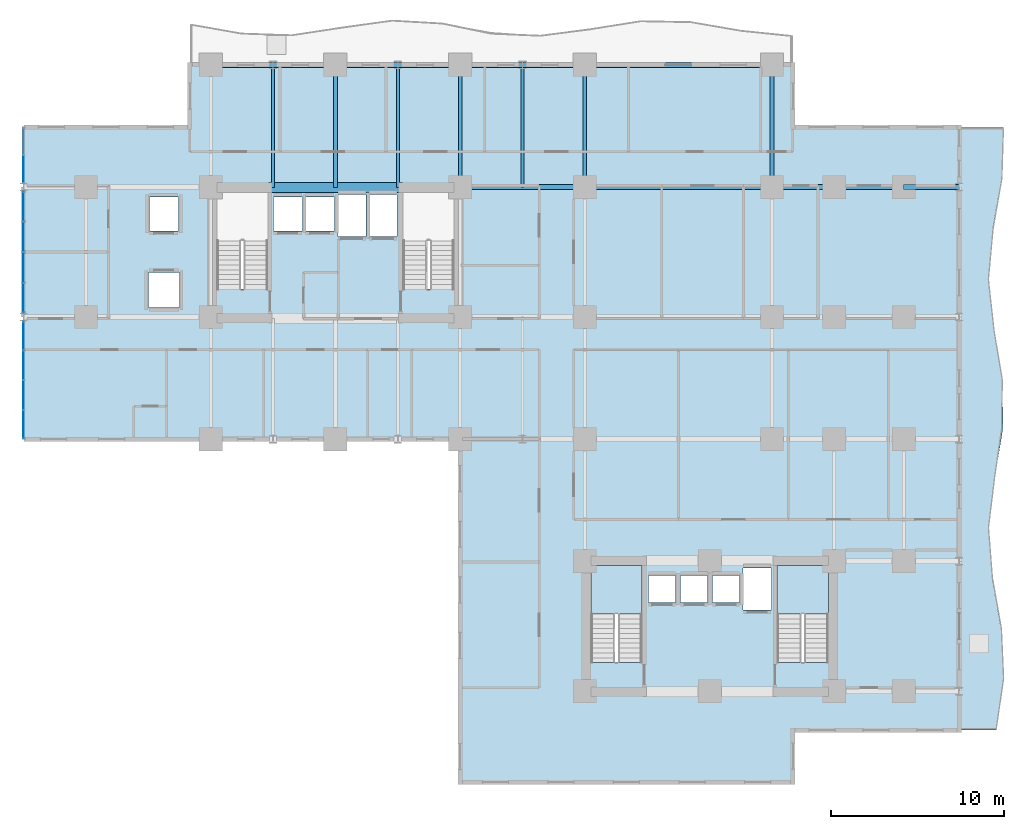
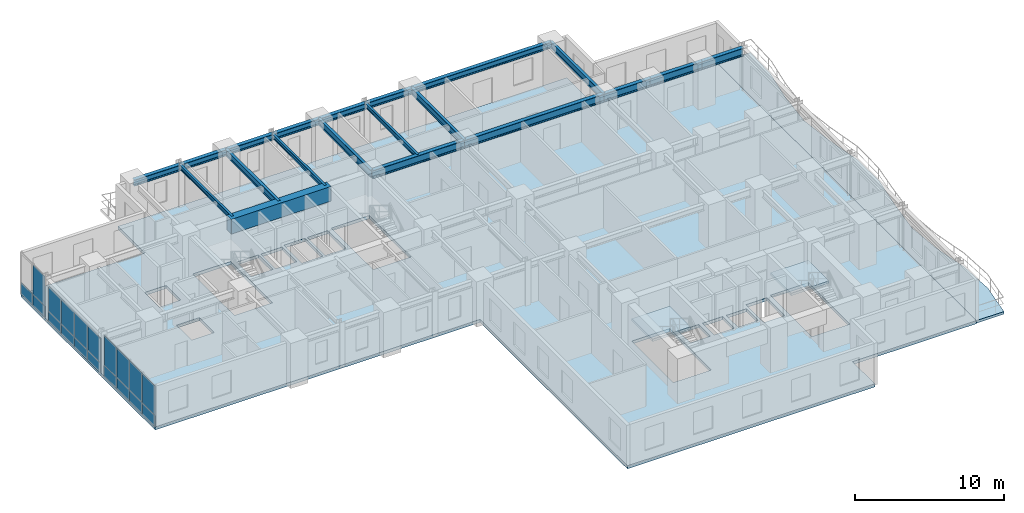
# One storey, part 7 of 17: 20 beams, 19 plates, 4 slabs, 5 elements without a shape of their own.
"""IFC4 building model written with IfcOpenShell, lengths in metres."""

from ifc_helpers import new_model, si_unit, direction, frame, origin, origin_2d, place, context, subcontext, project, spatial, polyline, rectangle, i_section, outline, extrude, source, transform, mapped, material, layer, layer_set, material_profile, profile_set, type_object, element, aggregate, save


model = new_model("IFC4")

# Units and contexts
model_context = context("Model", 3, precision=1e-05, world=origin(), true_north=direction((0.0, 1.0)))
body_context = subcontext(model_context, "Body", "Model", "MODEL_VIEW")
ifc_project = project(units=[si_unit("LENGTHUNIT", "METRE"), si_unit("AREAUNIT", "SQUARE_METRE"), si_unit("VOLUMEUNIT", "CUBIC_METRE"), si_unit("PLANEANGLEUNIT", "RADIAN"), si_unit("MASSUNIT", "GRAM", prefix="KILO")], contexts=[model_context])

# Site, building, storey
site_placement = place(None, origin())
site = spatial("IfcSite", under=ifc_project, at=site_placement, CompositionType="ELEMENT")
building_placement = place(site_placement, origin())
building = spatial("IfcBuilding", under=site, at=building_placement, Name="Kaliganga Portal Commons", CompositionType="ELEMENT")
storey_placement = place(building_placement, frame((0.0, 0.0, 62.300048828125)))
storey = spatial("IfcBuildingStorey", under=building, at=storey_placement, Name="L15", CompositionType="ELEMENT", Elevation=62.300048828125)

# Beams
ifc_material_1 = material(Name="Concrete C60/75", Category="concrete")
ifc_material_profile_1 = material_profile(ifc_material_1, rectangle(XDim=0.60009765625, YDim=1.199951171875, at=origin_2d()), Name="RC 600x1200")
ifc_profile_set_1 = profile_set([ifc_material_profile_1], Name="Concrete C60/75")
beam_type_1 = type_object("IfcBeamType", Name="BM-CPL-1200", PredefinedType="LINTEL", material=ifc_profile_set_1)
shared_shape_1 = source(origin(), body_context, "Body", "SweptSolid", [
    extrude(rectangle(XDim=0.60009765625, YDim=1.199951171875, at=origin_2d()), origin(), (0.0, 0.0, 1.0), 7.739990234375),
])
beam_1_placement = place(storey_placement, frame((17.72998046875, 36.125, 2.849853515625), z_axis=(1.0, 0.0, 0.0), x_axis=(0.0, 1.0, 0.0)))
element("IfcBeam", 1, at=beam_1_placement, inside=storey, type_object=beam_type_1, Name="BM CPL COREA L15 N", PredefinedType="LINTEL", context=body_context, shape_type="MappedRepresentation", body=[
    mapped(shared_shape_1, transform((0.0, 0.0, 0.0), x_axis=(1.0, 0.0, 0.0), y_axis=(0.0, 1.0, 0.0), z_axis=(0.0, 0.0, 1.0), scale=1.0)),
])
ifc_material_2 = material(Name="Structural steel S355J2", Category="steel")
ifc_material_profile_2 = material_profile(ifc_material_2, i_section(OverallWidth=0.300048828125, OverallDepth=0.5, WebThickness=0.014404296875, FlangeThickness=0.028076171875, FilletRadius=0.027099609375, at=origin_2d()), Name="HE 500 B")
ifc_profile_set_2 = profile_set([ifc_material_profile_2], Name="Structural steel S355J2 wide-flange")
beam_type_2 = type_object("IfcBeamType", Name="BM-SPAND-500", PredefinedType="SPANDREL", material=ifc_profile_set_2)
shared_shape_2 = source(origin(), body_context, "Body", "SweptSolid", [
    extrude(i_section(OverallWidth=0.300048828125, OverallDepth=0.5, WebThickness=0.014404296875, FlangeThickness=0.028076171875, FilletRadius=0.027099609375, at=origin_2d()), origin(), (0.0, 0.0, 1.0), 10.800048828125),
])
beam_2_placement = place(storey_placement, frame((36.0, 43.199951171875, 3.199951171875), z_axis=(1.0, 0.0, 0.0), x_axis=(0.0, 1.0, 0.0)))
element("IfcBeam", 2, at=beam_2_placement, inside=storey, type_object=beam_type_2, Name="BM SP L15 AN 7", PredefinedType="SPANDREL", context=body_context, shape_type="MappedRepresentation", body=[
    mapped(shared_shape_2, transform((0.0, 0.0, 0.0), x_axis=(1.0, 0.0, 0.0), y_axis=(0.0, 1.0, 0.0), z_axis=(0.0, 0.0, 1.0), scale=1.0)),
])
shared_shape_3 = source(origin(), body_context, "Body", "SweptSolid", [
    extrude(i_section(OverallWidth=0.300048828125, OverallDepth=0.5, WebThickness=0.014404296875, FlangeThickness=0.028076171875, FilletRadius=0.027099609375, at=origin_2d()), origin(), (0.0, 0.0, 1.0), 3.60009765625),
])
for number, where, z_axis, x_axis, name in (
    (3, (14.39990234375, 43.199951171875, 3.199951171875), (1.0, 0.0, 0.0), (0.0, 1.0, 0.0), "BM SP L15 AN 1"),
    (4, (18.0, 43.199951171875, 3.199951171875), (1.0, 0.0, 0.0), (0.0, 1.0, 0.0), "BM SP L15 AN 2"),
    (5, (25.199951171875, 43.199951171875, 3.199951171875), (1.0, 0.0, 0.0), (0.0, 1.0, 0.0), "BM SP L15 AN 4"),
    (6, (32.39990234375, 43.199951171875, 3.199951171875), (1.0, 0.0, 0.0), (0.0, 1.0, 0.0), "BM SP L15 AN 6"),
):
    element("IfcBeam", number, at=place(storey_placement, frame(where, z_axis=z_axis, x_axis=x_axis)), inside=storey, type_object=beam_type_2, Name=name, PredefinedType="SPANDREL", context=body_context, shape_type="MappedRepresentation", body=[
        mapped(shared_shape_3, transform((0.0, 0.0, 0.0), x_axis=(1.0, 0.0, 0.0), y_axis=(0.0, 1.0, 0.0), z_axis=(0.0, 0.0, 1.0), scale=1.0)),
    ])
shared_shape_4 = source(origin(), body_context, "Body", "SweptSolid", [
    extrude(i_section(OverallWidth=0.300048828125, OverallDepth=0.5, WebThickness=0.014404296875, FlangeThickness=0.028076171875, FilletRadius=0.027099609375, at=origin_2d()), origin(), (0.0, 0.0, 1.0), 3.599853515625),
])
for number, where, z_axis, x_axis, name in (
    (7, (21.60009765625, 43.199951171875, 3.199951171875), (1.0, 0.0, 0.0), (0.0, 1.0, 0.0), "BM SP L15 AN 3"),
    (8, (28.800048828125, 43.199951171875, 3.199951171875), (1.0, 0.0, 0.0), (0.0, 1.0, 0.0), "BM SP L15 AN 5"),
):
    element("IfcBeam", number, at=place(storey_placement, frame(where, z_axis=z_axis, x_axis=x_axis)), inside=storey, type_object=beam_type_2, Name=name, PredefinedType="SPANDREL", context=body_context, shape_type="MappedRepresentation", body=[
        mapped(shared_shape_4, transform((0.0, 0.0, 0.0), x_axis=(1.0, 0.0, 0.0), y_axis=(0.0, 1.0, 0.0), z_axis=(0.0, 0.0, 1.0), scale=1.0)),
    ])
ifc_material_profile_3 = material_profile(ifc_material_2, i_section(OverallWidth=0.300048828125, OverallDepth=0.64990234375, WebThickness=0.01611328125, FlangeThickness=0.031005859375, FilletRadius=0.027099609375, at=origin_2d()), Name="HE 650 B")
ifc_profile_set_3 = profile_set([ifc_material_profile_3], Name="Structural steel S355J2 wide-flange")
beam_type_3 = type_object("IfcBeamType", Name="BM-GIRD-650", PredefinedType="USERDEFINED", material=ifc_profile_set_3)
shared_shape_5 = source(origin(), body_context, "Body", "SweptSolid", [
    extrude(i_section(OverallWidth=0.300048828125, OverallDepth=0.64990234375, WebThickness=0.01611328125, FlangeThickness=0.031005859375, FilletRadius=0.027099609375, at=origin_2d()), origin(), (0.0, 0.0, 1.0), 3.599853515625),
])
beam_3_placement = place(storey_placement, frame((46.800048828125, 36.14990234375, 3.125), z_axis=(1.0, 0.0, 0.0), x_axis=(0.0, 1.0, 0.0)))
element("IfcBeam", 9, at=beam_3_placement, inside=storey, type_object=beam_type_3, Name="BM G L15 BKE362 1", ObjectType="GIRDER", PredefinedType="USERDEFINED", context=body_context, shape_type="MappedRepresentation", body=[
    mapped(shared_shape_5, transform((0.0, 0.0, 0.0), x_axis=(1.0, 0.0, 0.0), y_axis=(0.0, 1.0, 0.0), z_axis=(0.0, 0.0, 1.0), scale=1.0)),
])
shared_shape_6 = source(origin(), body_context, "Body", "SweptSolid", [
    extrude(i_section(OverallWidth=0.300048828125, OverallDepth=0.64990234375, WebThickness=0.01611328125, FlangeThickness=0.031005859375, FilletRadius=0.027099609375, at=origin_2d()), origin(), (0.0, 0.0, 1.0), 7.199951171875),
])
beam_4_placement = place(storey_placement, frame((28.800048828125, 36.14990234375, 3.125), z_axis=(1.0, 0.0, 0.0), x_axis=(0.0, 1.0, 0.0)))
element("IfcBeam", 10, at=beam_4_placement, inside=storey, type_object=beam_type_3, Name="BM G L15 WAE_N 1", ObjectType="GIRDER", PredefinedType="USERDEFINED", context=body_context, shape_type="MappedRepresentation", body=[
    mapped(shared_shape_6, transform((0.0, 0.0, 0.0), x_axis=(1.0, 0.0, 0.0), y_axis=(0.0, 1.0, 0.0), z_axis=(0.0, 0.0, 1.0), scale=1.0)),
])
shared_shape_7 = source(origin(), body_context, "Body", "SweptSolid", [
    extrude(i_section(OverallWidth=0.300048828125, OverallDepth=0.64990234375, WebThickness=0.01611328125, FlangeThickness=0.031005859375, FilletRadius=0.027099609375, at=origin_2d()), origin(), (0.0, 0.0, 1.0), 10.800048828125),
])
beam_5_placement = place(storey_placement, frame((36.0, 36.14990234375, 3.125), z_axis=(1.0, 0.0, 0.0), x_axis=(0.0, 1.0, 0.0)))
element("IfcBeam", 11, at=beam_5_placement, inside=storey, type_object=beam_type_3, Name="BM G L15 WAE_N 2", ObjectType="GIRDER", PredefinedType="USERDEFINED", context=body_context, shape_type="MappedRepresentation", body=[
    mapped(shared_shape_7, transform((0.0, 0.0, 0.0), x_axis=(1.0, 0.0, 0.0), y_axis=(0.0, 1.0, 0.0), z_axis=(0.0, 0.0, 1.0), scale=1.0)),
])
ifc_material_profile_4 = material_profile(ifc_material_2, i_section(OverallWidth=0.2099609375, OverallDepth=0.550048828125, WebThickness=0.010986328125, FlangeThickness=0.01708984375, FilletRadius=0.02392578125, at=origin_2d()), Name="IPE 550")
ifc_profile_set_4 = profile_set([ifc_material_profile_4], Name="Structural steel S355J2 wide-flange")
beam_type_4 = type_object("IfcBeamType", Name="BM-FLR-550", PredefinedType="BEAM", material=ifc_profile_set_4)
shared_shape_8 = source(origin(), body_context, "Body", "SweptSolid", [
    extrude(i_section(OverallWidth=0.2099609375, OverallDepth=0.550048828125, WebThickness=0.010986328125, FlangeThickness=0.01708984375, FilletRadius=0.02392578125, at=origin_2d()), origin(), (0.0, 0.0, 1.0), 7.050048828125),
])
for number, where, z_axis, x_axis, name in (
    (12, (28.800048828125, 36.14990234375, 3.175048828125), (0.0, 1.0, 0.0), (-1.0, 0.0, 0.0), "BM G L15 AN288"),
    (13, (36.0, 36.14990234375, 3.175048828125), (0.0, 1.0, 0.0), (-1.0, 0.0, 0.0), "BM G L15 AN360"),
    (14, (46.800048828125, 36.14990234375, 3.175048828125), (0.0, 1.0, 0.0), (-1.0, 0.0, 0.0), "BM G L15 AN468"),
):
    element("IfcBeam", number, at=place(storey_placement, frame(where, z_axis=z_axis, x_axis=x_axis)), inside=storey, type_object=beam_type_4, Name=name, PredefinedType="BEAM", context=body_context, shape_type="MappedRepresentation", body=[
        mapped(shared_shape_8, transform((0.0, 0.0, 0.0), x_axis=(1.0, 0.0, 0.0), y_axis=(0.0, 1.0, 0.0), z_axis=(0.0, 0.0, 1.0), scale=1.0)),
    ])
ifc_material_profile_5 = material_profile(ifc_material_2, i_section(OverallWidth=0.169921875, OverallDepth=0.360107421875, WebThickness=0.008056640625, FlangeThickness=0.0126953125, FilletRadius=0.01806640625, at=origin_2d()), Name="IPE 360")
ifc_profile_set_5 = profile_set([ifc_material_profile_5], Name="Structural steel S355J2 wide-flange")
beam_type_5 = type_object("IfcBeamType", Name="BM-JST-360", PredefinedType="JOIST", material=ifc_profile_set_5)
shared_shape_9 = source(origin(), body_context, "Body", "SweptSolid", [
    extrude(i_section(OverallWidth=0.169921875, OverallDepth=0.360107421875, WebThickness=0.008056640625, FlangeThickness=0.0126953125, FilletRadius=0.01806640625, at=origin_2d()), origin(), (0.0, 0.0, 1.0), 7.074951171875),
])
for number, where, z_axis, x_axis, name in (
    (15, (18.0, 36.125, 3.27001953125), (0.0, 1.0, 0.0), (-1.0, 0.0, 0.0), "BM G L15 AN180"),
    (16, (25.199951171875, 36.125, 3.27001953125), (0.0, 1.0, 0.0), (-1.0, 0.0, 0.0), "BM G L15 AN252"),
):
    element("IfcBeam", number, at=place(storey_placement, frame(where, z_axis=z_axis, x_axis=x_axis)), inside=storey, type_object=beam_type_5, Name=name, PredefinedType="JOIST", context=body_context, shape_type="MappedRepresentation", body=[
        mapped(shared_shape_9, transform((0.0, 0.0, 0.0), x_axis=(1.0, 0.0, 0.0), y_axis=(0.0, 1.0, 0.0), z_axis=(0.0, 0.0, 1.0), scale=1.0)),
    ])
shared_shape_10 = source(origin(), body_context, "Body", "SweptSolid", [
    extrude(i_section(OverallWidth=0.2099609375, OverallDepth=0.550048828125, WebThickness=0.010986328125, FlangeThickness=0.01708984375, FilletRadius=0.02392578125, at=origin_2d()), origin(), (0.0, 0.0, 1.0), 7.074951171875),
])
beam_6_placement = place(storey_placement, frame((21.60009765625, 36.125, 3.175048828125), z_axis=(0.0, 1.0, 0.0), x_axis=(-1.0, 0.0, 0.0)))
element("IfcBeam", 17, at=beam_6_placement, inside=storey, type_object=beam_type_4, Name="BM G L15 AN216", PredefinedType="BEAM", context=body_context, shape_type="MappedRepresentation", body=[
    mapped(shared_shape_10, transform((0.0, 0.0, 0.0), x_axis=(1.0, 0.0, 0.0), y_axis=(0.0, 1.0, 0.0), z_axis=(0.0, 0.0, 1.0), scale=1.0)),
])
shared_shape_11 = source(origin(), body_context, "Body", "SweptSolid", [
    extrude(i_section(OverallWidth=0.169921875, OverallDepth=0.360107421875, WebThickness=0.008056640625, FlangeThickness=0.0126953125, FilletRadius=0.01806640625, at=origin_2d()), origin(), (0.0, 0.0, 1.0), 7.050048828125),
])
beam_7_placement = place(storey_placement, frame((32.39990234375, 36.14990234375, 3.27001953125), z_axis=(0.0, 1.0, 0.0), x_axis=(-1.0, 0.0, 0.0)))
element("IfcBeam", 18, at=beam_7_placement, inside=storey, type_object=beam_type_5, Name="BM G L15 AN324", PredefinedType="JOIST", context=body_context, shape_type="MappedRepresentation", body=[
    mapped(shared_shape_11, transform((0.0, 0.0, 0.0), x_axis=(1.0, 0.0, 0.0), y_axis=(0.0, 1.0, 0.0), z_axis=(0.0, 0.0, 1.0), scale=1.0)),
])
shared_shape_12 = source(origin(), body_context, "Body", "SweptSolid", [
    extrude(i_section(OverallWidth=0.300048828125, OverallDepth=0.64990234375, WebThickness=0.01611328125, FlangeThickness=0.031005859375, FilletRadius=0.027099609375, at=origin_2d()), origin(), (0.0, 0.0, 1.0), 4.0),
])
beam_8_placement = place(storey_placement, frame((50.39990234375, 36.14990234375, 3.125), z_axis=(1.0, 0.0, 0.0), x_axis=(0.0, 1.0, 0.0)))
element("IfcBeam", 19, at=beam_8_placement, inside=storey, type_object=beam_type_3, Name="BM G L15 BKE362 2", ObjectType="GIRDER", PredefinedType="USERDEFINED", context=body_context, shape_type="MappedRepresentation", body=[
    mapped(shared_shape_12, transform((0.0, 0.0, 0.0), x_axis=(1.0, 0.0, 0.0), y_axis=(0.0, 1.0, 0.0), z_axis=(0.0, 0.0, 1.0), scale=1.0)),
])
shared_shape_13 = source(origin(), body_context, "Body", "SweptSolid", [
    extrude(i_section(OverallWidth=0.300048828125, OverallDepth=0.64990234375, WebThickness=0.01611328125, FlangeThickness=0.031005859375, FilletRadius=0.027099609375, at=origin_2d()), origin(), (0.0, 0.0, 1.0), 3.2001953125),
])
beam_9_placement = place(storey_placement, frame((54.39990234375, 36.14990234375, 3.125), z_axis=(1.0, 0.0, 0.0), x_axis=(0.0, 1.0, 0.0)))
element("IfcBeam", 20, at=beam_9_placement, inside=storey, type_object=beam_type_3, Name="BM G L15 BKE362 3", ObjectType="GIRDER", PredefinedType="USERDEFINED", context=body_context, shape_type="MappedRepresentation", body=[
    mapped(shared_shape_13, transform((0.0, 0.0, 0.0), x_axis=(1.0, 0.0, 0.0), y_axis=(0.0, 1.0, 0.0), z_axis=(0.0, 0.0, 1.0), scale=1.0)),
])

# Slab
ifc_material_3 = material(Name="Concrete C40/50", Category="concrete")
ifc_layer_1 = layer(ifc_material_3, 0.2099609375)
ifc_layer_set_1 = layer_set([ifc_layer_1], Name="Concrete C40/50")
slab_type_1 = type_object("IfcSlabType", Name="SLB-BALC-210", PredefinedType="FLOOR", material=ifc_layer_set_1)
slab_1_placement = place(storey_placement, frame((0.0, 0.0, -0.2099609375)))
element("IfcSlab", 21, at=slab_1_placement, inside=storey, type_object=slab_type_1, Name="Scalloped Tree-Planter Balcony Slab L15 balc_east", PredefinedType="FLOOR", context=body_context, shape_type="SweptSolid", body=[
    extrude(outline(polyline([(57.60009765625, 4.800048828125), (59.743408203125, 4.800048828125), (60.17138671875, 7.699951171875), (60.041748046875, 10.60009765625), (59.523193359375, 13.5), (59.29150390625, 16.39990234375), (59.648193359375, 19.300048828125), (60.12890625, 22.199951171875), (60.107177734375, 25.10009765625), (59.611083984375, 28.0), (59.287353515625, 30.89990234375), (59.5576171875, 33.800048828125), (60.069580078125, 36.699951171875), (60.156494140625, 39.60009765625), (57.60009765625, 39.60009765625), (57.60009765625, 4.800048828125)])), origin(), (0.0, 0.0, 1.0), 0.2099609375),
])

# Stair, slab
stair_type = type_object("IfcStairType", Name="ST-CORE-DOGLEG", PredefinedType="HALF_TURN_STAIR", material=ifc_material_3)
stair_1_placement = place(storey_placement, origin())
stair_1 = element("IfcStair", 22, at=stair_1_placement, inside=storey, type_object=stair_type, Name="L15 Protected Exit Stair ST-B1", PredefinedType="HALF_TURN_STAIR")
ifc_layer_2 = layer(ifc_material_3, 0.199951171875)
ifc_layer_set_2 = layer_set([ifc_layer_2], Name="Concrete C40/50")
slab_type_2 = type_object("IfcSlabType", Name="SLB-STAIR-LND", PredefinedType="LANDING", material=ifc_layer_set_2)
slab_2_placement = place(storey_placement, frame((0.0, 0.0, 1.64990234375)))
slab_2 = element("IfcSlab", 23, at=slab_2_placement, type_object=slab_type_2, Name="ST-B1 landing 1", PredefinedType="LANDING", context=body_context, shape_type="SweptSolid", body=[
    extrude(outline(polyline([(39.300048828125, 11.5), (39.300048828125, 14.300048828125), (36.35009765625, 14.300048828125), (36.35009765625, 11.5), (39.300048828125, 11.5)])), origin(), (0.0, 0.0, 1.0), 0.199951171875),
])
aggregate(stair_1, [slab_2])

stair_2_placement = place(storey_placement, origin())
stair_2 = element("IfcStair", 24, at=stair_2_placement, inside=storey, type_object=stair_type, Name="L15 Protected Exit Stair ST-B2", PredefinedType="HALF_TURN_STAIR")
slab_3_placement = place(storey_placement, frame((0.0, 0.0, 1.64990234375)))
slab_3 = element("IfcSlab", 25, at=slab_3_placement, type_object=slab_type_2, Name="ST-B2 landing 1", PredefinedType="LANDING", context=body_context, shape_type="SweptSolid", body=[
    extrude(outline(polyline([(50.050048828125, 11.5), (50.050048828125, 14.300048828125), (47.10009765625, 14.300048828125), (47.10009765625, 11.5), (50.050048828125, 11.5)])), origin(), (0.0, 0.0, 1.0), 0.199951171875),
])
aggregate(stair_2, [slab_3])

# Slab
ifc_layer_3 = layer(ifc_material_3, 0.25)
ifc_layer_set_3 = layer_set([ifc_layer_3], Name="Concrete C40/50")
slab_type_3 = type_object("IfcSlabType", Name="SLB-TWR-250", PredefinedType="FLOOR", material=ifc_layer_set_3)
slab_4_placement = place(storey_placement, frame((0.0, 0.0, -0.25)))
element("IfcSlab", 26, at=slab_4_placement, inside=storey, type_object=slab_type_3, Name="Structural Floor Slab L15", PredefinedType="FLOOR", context=body_context, shape_type="SweptSolid", body=[
    extrude(outline(polyline([(28.800048828125, 1.800048828125), (48.0, 1.800048828125), (48.0, 4.800048828125), (57.60009765625, 4.800048828125), (57.60009765625, 39.60009765625), (48.0, 39.60009765625), (48.0, 43.199951171875), (13.199951171875, 43.199951171875), (13.199951171875, 39.60009765625), (3.60009765625, 39.60009765625), (3.60009765625, 21.60009765625), (28.800048828125, 21.60009765625), (28.800048828125, 1.800048828125)]), holes=[polyline([(14.75, 30.25390625), (14.75, 35.85009765625), (17.699951171875, 35.85009765625), (17.699951171875, 30.25390625), (14.75, 30.25390625)]), polyline([(25.5, 30.25390625), (25.5, 35.85009765625), (28.449951171875, 35.85009765625), (28.449951171875, 30.25390625), (25.5, 30.25390625)]), polyline([(36.35009765625, 8.7041015625), (36.35009765625, 14.300048828125), (39.300048828125, 14.300048828125), (39.300048828125, 8.7041015625), (36.35009765625, 8.7041015625)]), polyline([(47.10009765625, 8.7041015625), (47.10009765625, 14.300048828125), (50.050048828125, 14.300048828125), (50.050048828125, 8.7041015625), (47.10009765625, 8.7041015625)]), polyline([(18.014892578125, 33.614990234375), (18.014892578125, 35.5849609375), (19.68505859375, 35.5849609375), (19.68505859375, 33.614990234375), (18.014892578125, 33.614990234375)]), polyline([(19.864990234375, 33.614990234375), (19.864990234375, 35.5849609375), (21.534912109375, 35.5849609375), (21.534912109375, 33.614990234375), (19.864990234375, 33.614990234375)]), polyline([(10.81494140625, 29.18994140625), (10.81494140625, 31.2099609375), (12.5849609375, 31.2099609375), (12.5849609375, 29.18994140625), (10.81494140625, 29.18994140625)]), polyline([(10.864990234375, 33.614990234375), (10.864990234375, 35.5849609375), (12.534912109375, 35.5849609375), (12.534912109375, 33.614990234375), (10.864990234375, 33.614990234375)]), polyline([(21.739990234375, 33.2900390625), (21.739990234375, 35.7099609375), (23.360107421875, 35.7099609375), (23.360107421875, 33.2900390625), (21.739990234375, 33.2900390625)]), polyline([(23.5400390625, 33.2900390625), (23.5400390625, 35.7099609375), (25.159912109375, 35.7099609375), (25.159912109375, 33.2900390625), (23.5400390625, 33.2900390625)]), polyline([(39.6650390625, 12.1650390625), (39.6650390625, 13.735107421875), (41.235107421875, 13.735107421875), (41.235107421875, 12.1650390625), (39.6650390625, 12.1650390625)]), polyline([(41.514892578125, 12.1650390625), (41.514892578125, 13.735107421875), (43.0849609375, 13.735107421875), (43.0849609375, 12.1650390625), (41.514892578125, 12.1650390625)]), polyline([(43.364990234375, 12.1650390625), (43.364990234375, 13.735107421875), (44.93505859375, 13.735107421875), (44.93505859375, 12.1650390625), (43.364990234375, 12.1650390625)]), polyline([(45.139892578125, 11.739990234375), (45.139892578125, 14.159912109375), (46.760009765625, 14.159912109375), (46.760009765625, 11.739990234375), (45.139892578125, 11.739990234375)])]), origin(), (0.0, 0.0, 1.0), 0.25),
])

# Curtain wall, plates
ifc_material_4 = material(Name="Anodized Aluminium and Laminated Low-E Glass", Category="aluminium")
ifc_layer_4 = layer(ifc_material_4, 0.199951171875)
ifc_layer_set_4 = layer_set([ifc_layer_4], Name="Anodized Aluminium and Laminated Low-E Glass")
curtain_wall_type = type_object("IfcCurtainWallType", Name="CW-SYS-02", PredefinedType="NOTDEFINED", material=ifc_layer_set_4)
curtain_wall_1_placement = place(storey_placement, origin())
curtain_wall_1 = element("IfcCurtainWall", 27, at=curtain_wall_1_placement, inside=storey, type_object=curtain_wall_type, Name="CW 02 L15 P1E09S3", PredefinedType="NOTDEFINED")
ifc_material_5 = material(Name="Insulated Dark Spandrel Panel", Category="metal")
ifc_layer_5 = layer(ifc_material_5, 0.044921875)
ifc_layer_set_5 = layer_set([ifc_layer_5], Name="Insulated Dark Spandrel Panel")
plate_type_1 = type_object("IfcPlateType", Name="PLT-SPN-45", PredefinedType="SHEET", material=ifc_layer_set_5)
shared_shape_14 = source(origin(), body_context, "Body", "SweptSolid", [
    extrude(rectangle(XDim=1.66650390625, YDim=0.044921875, at=origin_2d()), origin(), (0.0, 0.0, 1.0), 0.929931640625),
])
plate_1_placement = place(storey_placement, frame((3.60009765625, 27.57275390625, 0.009765625), z_axis=(0.0, 0.0, 1.0), x_axis=(0.0, -1.0, 0.0)))
plate_1 = element("IfcPlate", 28, at=plate_1_placement, type_object=plate_type_1, Name="CW:02:L15:P1E09S3 Spandrel 00", PredefinedType="SHEET", context=body_context, shape_type="MappedRepresentation", body=[
    mapped(shared_shape_14, transform((0.0, 0.0, 0.0), x_axis=(1.0, 0.0, 0.0), y_axis=(0.0, 1.0, 0.0), z_axis=(0.0, 0.0, 1.0), scale=1.0)),
])
plate_2_placement = place(storey_placement, frame((3.60009765625, 25.8662109375, 0.009765625), z_axis=(0.0, 0.0, 1.0), x_axis=(0.0, -1.0, 0.0)))
plate_2 = element("IfcPlate", 29, at=plate_2_placement, type_object=plate_type_1, Name="CW:02:L15:P1E09S3 Spandrel 01", PredefinedType="SHEET", context=body_context, shape_type="MappedRepresentation", body=[
    mapped(shared_shape_14, transform((0.0, 0.0, 0.0), x_axis=(1.0, 0.0, 0.0), y_axis=(0.0, 1.0, 0.0), z_axis=(0.0, 0.0, 1.0), scale=1.0)),
])
plate_3_placement = place(storey_placement, frame((3.60009765625, 24.159912109375, 0.009765625), z_axis=(0.0, 0.0, 1.0), x_axis=(0.0, -1.0, 0.0)))
plate_3 = element("IfcPlate", 30, at=plate_3_placement, type_object=plate_type_1, Name="CW:02:L15:P1E09S3 Spandrel 02", PredefinedType="SHEET", context=body_context, shape_type="MappedRepresentation", body=[
    mapped(shared_shape_14, transform((0.0, 0.0, 0.0), x_axis=(1.0, 0.0, 0.0), y_axis=(0.0, 1.0, 0.0), z_axis=(0.0, 0.0, 1.0), scale=1.0)),
])
plate_4_placement = place(storey_placement, frame((3.60009765625, 22.453369140625, 0.009765625), z_axis=(0.0, 0.0, 1.0), x_axis=(0.0, -1.0, 0.0)))
plate_4 = element("IfcPlate", 31, at=plate_4_placement, type_object=plate_type_1, Name="CW:02:L15:P1E09S3 Spandrel 03", PredefinedType="SHEET", context=body_context, shape_type="MappedRepresentation", body=[
    mapped(shared_shape_14, transform((0.0, 0.0, 0.0), x_axis=(1.0, 0.0, 0.0), y_axis=(0.0, 1.0, 0.0), z_axis=(0.0, 0.0, 1.0), scale=1.0)),
])
ifc_material_6 = material(Name="Dark Solar-Control Laminated Low-E IGU", Category="glass")
ifc_layer_6 = layer(ifc_material_6, 0.028076171875)
ifc_layer_set_6 = layer_set([ifc_layer_6], Name="Dark Solar-Control Laminated Low-E IGU")
plate_type_2 = type_object("IfcPlateType", Name="PLT-GLZ-28", PredefinedType="CURTAIN_PANEL", material=ifc_layer_set_6)
shared_shape_15 = source(origin(), body_context, "Body", "SweptSolid", [
    extrude(rectangle(XDim=1.66650390625, YDim=0.028076171875, at=origin_2d()), origin(), (0.0, 0.0, 1.0), 2.39990234375),
])
plate_5_placement = place(storey_placement, frame((3.60009765625, 27.57275390625, 0.9599609375), z_axis=(0.0, 0.0, 1.0), x_axis=(0.0, -1.0, 0.0)))
plate_5 = element("IfcPlate", 32, at=plate_5_placement, type_object=plate_type_2, Name="CW:02:L15:P1E09S3 Vision IGU 00", PredefinedType="CURTAIN_PANEL", context=body_context, shape_type="MappedRepresentation", body=[
    mapped(shared_shape_15, transform((0.0, 0.0, 0.0), x_axis=(1.0, 0.0, 0.0), y_axis=(0.0, 1.0, 0.0), z_axis=(0.0, 0.0, 1.0), scale=1.0)),
])
plate_6_placement = place(storey_placement, frame((3.60009765625, 25.8662109375, 0.9599609375), z_axis=(0.0, 0.0, 1.0), x_axis=(0.0, -1.0, 0.0)))
plate_6 = element("IfcPlate", 33, at=plate_6_placement, type_object=plate_type_2, Name="CW:02:L15:P1E09S3 Vision IGU 01", PredefinedType="CURTAIN_PANEL", context=body_context, shape_type="MappedRepresentation", body=[
    mapped(shared_shape_15, transform((0.0, 0.0, 0.0), x_axis=(1.0, 0.0, 0.0), y_axis=(0.0, 1.0, 0.0), z_axis=(0.0, 0.0, 1.0), scale=1.0)),
])
plate_7_placement = place(storey_placement, frame((3.60009765625, 24.159912109375, 0.9599609375), z_axis=(0.0, 0.0, 1.0), x_axis=(0.0, -1.0, 0.0)))
plate_7 = element("IfcPlate", 34, at=plate_7_placement, type_object=plate_type_2, Name="CW:02:L15:P1E09S3 Vision IGU 02", PredefinedType="CURTAIN_PANEL", context=body_context, shape_type="MappedRepresentation", body=[
    mapped(shared_shape_15, transform((0.0, 0.0, 0.0), x_axis=(1.0, 0.0, 0.0), y_axis=(0.0, 1.0, 0.0), z_axis=(0.0, 0.0, 1.0), scale=1.0)),
])
plate_8_placement = place(storey_placement, frame((3.60009765625, 22.453369140625, 0.9599609375), z_axis=(0.0, 0.0, 1.0), x_axis=(0.0, -1.0, 0.0)))
plate_8 = element("IfcPlate", 35, at=plate_8_placement, type_object=plate_type_2, Name="CW:02:L15:P1E09S3 Vision IGU 03", PredefinedType="CURTAIN_PANEL", context=body_context, shape_type="MappedRepresentation", body=[
    mapped(shared_shape_15, transform((0.0, 0.0, 0.0), x_axis=(1.0, 0.0, 0.0), y_axis=(0.0, 1.0, 0.0), z_axis=(0.0, 0.0, 1.0), scale=1.0)),
])
aggregate(curtain_wall_1, [plate_1, plate_5, plate_2, plate_6, plate_3, plate_7, plate_4, plate_8])

curtain_wall_2_placement = place(storey_placement, origin())
curtain_wall_2 = element("IfcCurtainWall", 36, at=curtain_wall_2_placement, inside=storey, type_object=curtain_wall_type, Name="CW 02 L15 P1E09S2", PredefinedType="NOTDEFINED")
shared_shape_16 = source(origin(), body_context, "Body", "SweptSolid", [
    extrude(rectangle(XDim=1.722900390625, YDim=0.044921875, at=origin_2d()), origin(), (0.0, 0.0, 1.0), 0.805908203125),
])
plate_9_placement = place(storey_placement, frame((3.60009765625, 35.04443359375, 0.009765625), z_axis=(0.0, 0.0, 1.0), x_axis=(0.0, -1.0, 0.0)))
plate_9 = element("IfcPlate", 37, at=plate_9_placement, type_object=plate_type_1, Name="CW:02:L15:P1E09S2 Spandrel 00", PredefinedType="SHEET", context=body_context, shape_type="MappedRepresentation", body=[
    mapped(shared_shape_16, transform((0.0, 0.0, 0.0), x_axis=(1.0, 0.0, 0.0), y_axis=(0.0, 1.0, 0.0), z_axis=(0.0, 0.0, 1.0), scale=1.0)),
])
plate_10_placement = place(storey_placement, frame((3.60009765625, 33.281494140625, 0.009765625), z_axis=(0.0, 0.0, 1.0), x_axis=(0.0, -1.0, 0.0)))
plate_10 = element("IfcPlate", 38, at=plate_10_placement, type_object=plate_type_1, Name="CW:02:L15:P1E09S2 Spandrel 01", PredefinedType="SHEET", context=body_context, shape_type="MappedRepresentation", body=[
    mapped(shared_shape_16, transform((0.0, 0.0, 0.0), x_axis=(1.0, 0.0, 0.0), y_axis=(0.0, 1.0, 0.0), z_axis=(0.0, 0.0, 1.0), scale=1.0)),
])
plate_11_placement = place(storey_placement, frame((3.60009765625, 31.5185546875, 0.009765625), z_axis=(0.0, 0.0, 1.0), x_axis=(0.0, -1.0, 0.0)))
plate_11 = element("IfcPlate", 39, at=plate_11_placement, type_object=plate_type_1, Name="CW:02:L15:P1E09S2 Spandrel 02", PredefinedType="SHEET", context=body_context, shape_type="MappedRepresentation", body=[
    mapped(shared_shape_16, transform((0.0, 0.0, 0.0), x_axis=(1.0, 0.0, 0.0), y_axis=(0.0, 1.0, 0.0), z_axis=(0.0, 0.0, 1.0), scale=1.0)),
])
plate_12_placement = place(storey_placement, frame((3.60009765625, 29.755615234375, 0.009765625), z_axis=(0.0, 0.0, 1.0), x_axis=(0.0, -1.0, 0.0)))
plate_12 = element("IfcPlate", 40, at=plate_12_placement, type_object=plate_type_1, Name="CW:02:L15:P1E09S2 Spandrel 03", PredefinedType="SHEET", context=body_context, shape_type="MappedRepresentation", body=[
    mapped(shared_shape_16, transform((0.0, 0.0, 0.0), x_axis=(1.0, 0.0, 0.0), y_axis=(0.0, 1.0, 0.0), z_axis=(0.0, 0.0, 1.0), scale=1.0)),
])
shared_shape_17 = source(origin(), body_context, "Body", "SweptSolid", [
    extrude(rectangle(XDim=1.722900390625, YDim=0.028076171875, at=origin_2d()), origin(), (0.0, 0.0, 1.0), 2.02392578125),
])
plate_13_placement = place(storey_placement, frame((3.60009765625, 35.04443359375, 0.8359375), z_axis=(0.0, 0.0, 1.0), x_axis=(0.0, -1.0, 0.0)))
plate_13 = element("IfcPlate", 41, at=plate_13_placement, type_object=plate_type_2, Name="CW:02:L15:P1E09S2 Vision IGU 00", PredefinedType="CURTAIN_PANEL", context=body_context, shape_type="MappedRepresentation", body=[
    mapped(shared_shape_17, transform((0.0, 0.0, 0.0), x_axis=(1.0, 0.0, 0.0), y_axis=(0.0, 1.0, 0.0), z_axis=(0.0, 0.0, 1.0), scale=1.0)),
])
plate_14_placement = place(storey_placement, frame((3.60009765625, 33.281494140625, 0.8359375), z_axis=(0.0, 0.0, 1.0), x_axis=(0.0, -1.0, 0.0)))
plate_14 = element("IfcPlate", 42, at=plate_14_placement, type_object=plate_type_2, Name="CW:02:L15:P1E09S2 Vision IGU 01", PredefinedType="CURTAIN_PANEL", context=body_context, shape_type="MappedRepresentation", body=[
    mapped(shared_shape_17, transform((0.0, 0.0, 0.0), x_axis=(1.0, 0.0, 0.0), y_axis=(0.0, 1.0, 0.0), z_axis=(0.0, 0.0, 1.0), scale=1.0)),
])
plate_15_placement = place(storey_placement, frame((3.60009765625, 31.5185546875, 0.8359375), z_axis=(0.0, 0.0, 1.0), x_axis=(0.0, -1.0, 0.0)))
plate_15 = element("IfcPlate", 43, at=plate_15_placement, type_object=plate_type_2, Name="CW:02:L15:P1E09S2 Vision IGU 02", PredefinedType="CURTAIN_PANEL", context=body_context, shape_type="MappedRepresentation", body=[
    mapped(shared_shape_17, transform((0.0, 0.0, 0.0), x_axis=(1.0, 0.0, 0.0), y_axis=(0.0, 1.0, 0.0), z_axis=(0.0, 0.0, 1.0), scale=1.0)),
])
plate_16_placement = place(storey_placement, frame((3.60009765625, 29.755615234375, 0.8359375), z_axis=(0.0, 0.0, 1.0), x_axis=(0.0, -1.0, 0.0)))
plate_16 = element("IfcPlate", 44, at=plate_16_placement, type_object=plate_type_2, Name="CW:02:L15:P1E09S2 Vision IGU 03", PredefinedType="CURTAIN_PANEL", context=body_context, shape_type="MappedRepresentation", body=[
    mapped(shared_shape_17, transform((0.0, 0.0, 0.0), x_axis=(1.0, 0.0, 0.0), y_axis=(0.0, 1.0, 0.0), z_axis=(0.0, 0.0, 1.0), scale=1.0)),
])
aggregate(curtain_wall_2, [plate_9, plate_13, plate_10, plate_14, plate_11, plate_15, plate_12, plate_16])

curtain_wall_3_placement = place(storey_placement, origin())
curtain_wall_3 = element("IfcCurtainWall", 45, at=curtain_wall_3_placement, inside=storey, type_object=curtain_wall_type, Name="CW 02 L15 P1E09S1", PredefinedType="NOTDEFINED")
shared_shape_18 = source(origin(), body_context, "Body", "SweptSolid", [
    extrude(rectangle(XDim=1.572998046875, YDim=0.044921875, at=origin_2d()), origin(), (0.0, 0.0, 1.0), 0.929931640625),
])
plate_17_placement = place(storey_placement, frame((3.60009765625, 38.79345703125, 0.009765625), z_axis=(0.0, 0.0, 1.0), x_axis=(0.0, -1.0, 0.0)))
plate_17 = element("IfcPlate", 46, at=plate_17_placement, type_object=plate_type_1, Name="CW:02:L15:P1E09S1 Spandrel 00", PredefinedType="SHEET", context=body_context, shape_type="MappedRepresentation", body=[
    mapped(shared_shape_18, transform((0.0, 0.0, 0.0), x_axis=(1.0, 0.0, 0.0), y_axis=(0.0, 1.0, 0.0), z_axis=(0.0, 0.0, 1.0), scale=1.0)),
])
plate_18_placement = place(storey_placement, frame((3.60009765625, 37.180419921875, 0.009765625), z_axis=(0.0, 0.0, 1.0), x_axis=(0.0, -1.0, 0.0)))
plate_18 = element("IfcPlate", 47, at=plate_18_placement, type_object=plate_type_1, Name="CW:02:L15:P1E09S1 Spandrel 01", PredefinedType="SHEET", context=body_context, shape_type="MappedRepresentation", body=[
    mapped(shared_shape_18, transform((0.0, 0.0, 0.0), x_axis=(1.0, 0.0, 0.0), y_axis=(0.0, 1.0, 0.0), z_axis=(0.0, 0.0, 1.0), scale=1.0)),
])
shared_shape_19 = source(origin(), body_context, "Body", "SweptSolid", [
    extrude(rectangle(XDim=1.572998046875, YDim=0.028076171875, at=origin_2d()), origin(), (0.0, 0.0, 1.0), 2.39990234375),
])
plate_19_placement = place(storey_placement, frame((3.60009765625, 37.180419921875, 0.9599609375), z_axis=(0.0, 0.0, 1.0), x_axis=(0.0, -1.0, 0.0)))
plate_19 = element("IfcPlate", 48, at=plate_19_placement, type_object=plate_type_2, Name="CW:02:L15:P1E09S1 Vision IGU 01", PredefinedType="CURTAIN_PANEL", context=body_context, shape_type="MappedRepresentation", body=[
    mapped(shared_shape_19, transform((0.0, 0.0, 0.0), x_axis=(1.0, 0.0, 0.0), y_axis=(0.0, 1.0, 0.0), z_axis=(0.0, 0.0, 1.0), scale=1.0)),
])
aggregate(curtain_wall_3, [plate_17, plate_18, plate_19])

save(model, "model.ifc")
